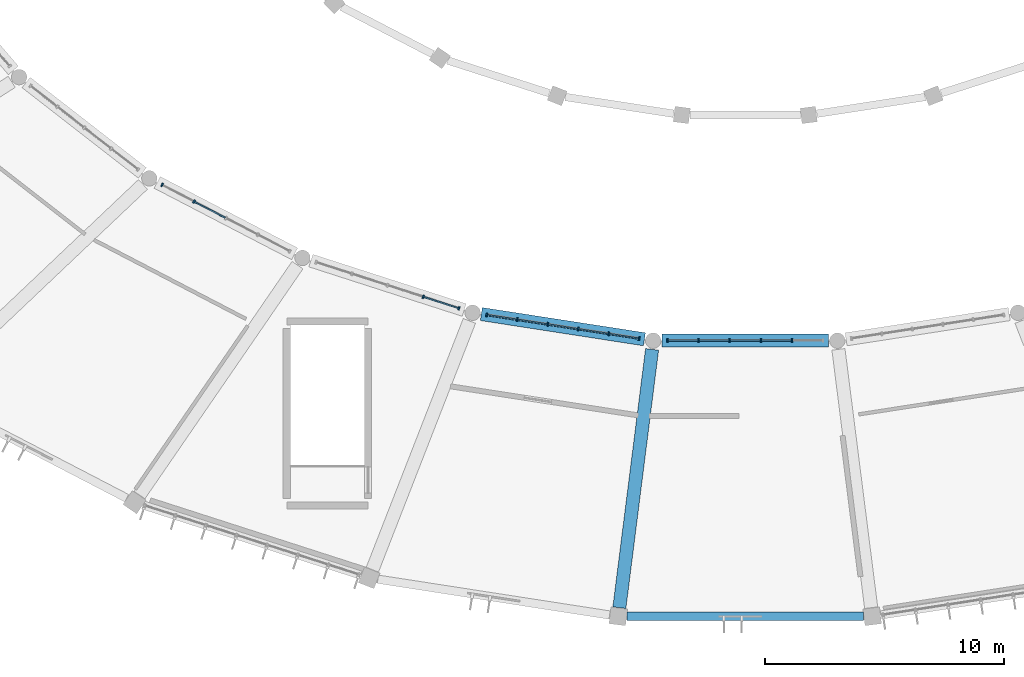
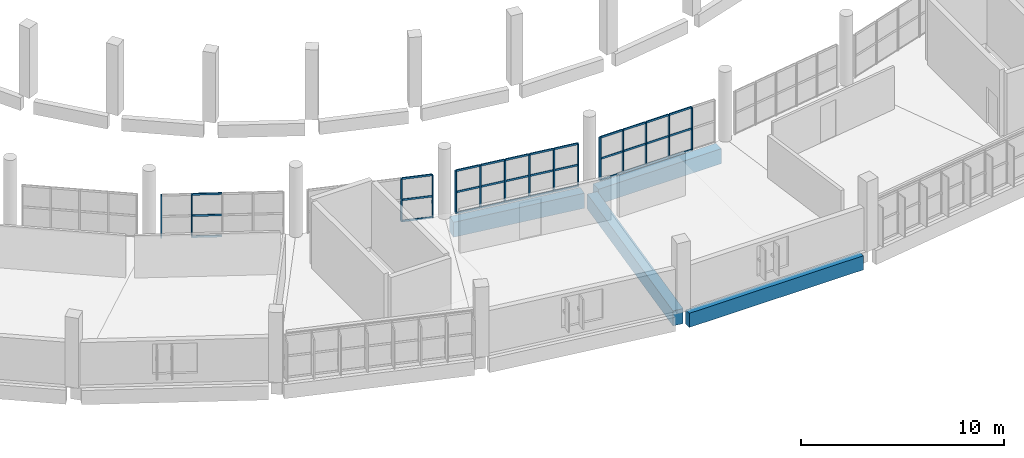
# One storey, part 13 of 142: 48 members, 4 beams, 4 elements without a shape of their own.
"""IFC4 building model written with IfcOpenShell, lengths in metres."""

from ifc_helpers import new_model, si_unit, direction, frame, origin, origin_2d, place, context, subcontext, project, spatial, rectangle, extrude, material, layer, layer_set, material_profile, profile_set, type_object, element, aggregate, save


model = new_model("IFC4")

# Units and contexts
model_context = context("Model", 3, precision=1e-05, world=origin(), true_north=direction((0.0, 1.0)))
body_context = subcontext(model_context, "Body", "Model", "MODEL_VIEW")
ifc_project = project(units=[si_unit("LENGTHUNIT", "METRE"), si_unit("AREAUNIT", "SQUARE_METRE"), si_unit("VOLUMEUNIT", "CUBIC_METRE"), si_unit("PLANEANGLEUNIT", "RADIAN"), si_unit("MASSUNIT", "GRAM", prefix="KILO")], contexts=[model_context])

# Site, building, storey
site_placement = place(None, origin())
site = spatial("IfcSite", under=ifc_project, at=site_placement, CompositionType="ELEMENT")
building_placement = place(site_placement, origin())
building = spatial("IfcBuilding", under=site, at=building_placement, Name="Corvandel Quay Wholesale Market", CompositionType="ELEMENT")
storey_placement = place(building_placement, frame((0.0, 0.0, 10.800048828125)))
storey = spatial("IfcBuildingStorey", under=building, at=storey_placement, Name="L02", CompositionType="ELEMENT", Elevation=10.800048828125)

# Curtain wall, members
ifc_material_1 = material(Name="Bronze anodised aluminium and low-E insulated glazing", Category="aluminium")
ifc_layer_1 = layer(ifc_material_1, 0.197998046875)
ifc_layer_set_1 = layer_set([ifc_layer_1], Name="Bronze anodised aluminium and low-E insulated glazing")
curtain_wall_type_1 = type_object("IfcCurtainWallType", Name="Stick Curtain Wall System CW14 H4260", PredefinedType="NOTDEFINED", material=ifc_layer_set_1)
curtain_wall_1_placement = place(storey_placement, origin())
curtain_wall_1 = element("IfcCurtainWall", 1, at=curtain_wall_1_placement, inside=storey, type_object=curtain_wall_type_1, Name="Curtain Wall CW-0062", PredefinedType="NOTDEFINED")
ifc_material_2 = material(Name="Anodised aluminium 6063-T6", Category="aluminium")
ifc_material_profile_1 = material_profile(ifc_material_2, rectangle(XDim=0.06494140625, YDim=0.14990234375, at=origin_2d()), Name="ALU-MUL-65x150")
ifc_profile_set_1 = profile_set([ifc_material_profile_1], Name="Anodised aluminium 6063-T6")
member_type_1 = type_object("IfcMemberType", Name="Curtain Wall Mullion ML02 65x150", PredefinedType="MULLION", material=ifc_profile_set_1)
member_1_placement = place(storey_placement, frame((89.575439453125, 18.0712890625, 0.0), z_axis=(0.0, 0.0, 1.0), x_axis=(-0.887332978338, 0.461129250378, 0.0)))
member_1 = element("IfcMember", 2, at=member_1_placement, type_object=member_type_1, Name="Mullion CW-0062-M00", PredefinedType="MULLION", context=body_context, shape_type="SweptSolid", body=[
    extrude(rectangle(XDim=0.06494140625, YDim=0.14990234375, at=origin_2d()), origin(), (0.0, 0.0, 1.0), 2.550048828125),
])
member_2_placement = place(storey_placement, frame((90.91259765625, 17.376708984375, 0.0), z_axis=(0.0, 0.0, 1.0), x_axis=(-0.887332978338, 0.461129250378, 0.0)))
member_2 = element("IfcMember", 3, at=member_2_placement, type_object=member_type_1, Name="Mullion CW-0062-M01", PredefinedType="MULLION", context=body_context, shape_type="SweptSolid", body=[
    extrude(rectangle(XDim=0.06494140625, YDim=0.14990234375, at=origin_2d()), origin(), (0.0, 0.0, 1.0), 2.550048828125),
])

ifc_layer_2 = layer(ifc_material_1, 0.14990234375)
ifc_layer_set_2 = layer_set([ifc_layer_2], Name="Bronze anodised aluminium and low-E insulated glazing")
curtain_wall_type_2 = type_object("IfcCurtainWallType", Name="Stick Curtain Wall System CW15 H4350", PredefinedType="NOTDEFINED", material=ifc_layer_set_2)
curtain_wall_2_placement = place(storey_placement, origin())
curtain_wall_2 = element("IfcCurtainWall", 4, at=curtain_wall_2_placement, inside=storey, type_object=curtain_wall_type_2, Name="Curtain Wall CW-0065", PredefinedType="NOTDEFINED")
member_3_placement = place(storey_placement, frame((100.513427734375, 13.385986328125, 0.0), z_axis=(0.0, 0.0, 1.0), x_axis=(-0.951808747363, 0.306692204733, 0.0)))
member_3 = element("IfcMember", 5, at=member_3_placement, type_object=member_type_1, Name="Mullion CW-0065-M03", PredefinedType="MULLION", context=body_context, shape_type="SweptSolid", body=[
    extrude(rectangle(XDim=0.06494140625, YDim=0.14990234375, at=origin_2d()), origin(), (0.0, 0.0, 1.0), 2.550048828125),
])
member_4_placement = place(storey_placement, frame((102.0087890625, 12.904052734375, 0.0), z_axis=(0.0, 0.0, 1.0), x_axis=(-0.951808747363, 0.306692204733, 0.0)))
member_4 = element("IfcMember", 6, at=member_4_placement, type_object=member_type_1, Name="Mullion CW-0065-M04", PredefinedType="MULLION", context=body_context, shape_type="SweptSolid", body=[
    extrude(rectangle(XDim=0.06494140625, YDim=0.14990234375, at=origin_2d()), origin(), (0.0, 0.0, 1.0), 2.550048828125),
])

ifc_layer_3 = layer(ifc_material_1, 0.162109375)
ifc_layer_set_3 = layer_set([ifc_layer_3], Name="Bronze anodised aluminium and low-E insulated glazing")
curtain_wall_type_3 = type_object("IfcCurtainWallType", Name="Stick Curtain Wall System CW16 H4440", PredefinedType="NOTDEFINED", material=ifc_layer_set_3)
curtain_wall_3_placement = place(storey_placement, origin())
curtain_wall_3 = element("IfcCurtainWall", 7, at=curtain_wall_3_placement, inside=storey, type_object=curtain_wall_type_3, Name="Curtain Wall CW-0068", PredefinedType="NOTDEFINED")
member_5_placement = place(storey_placement, frame((103.173095703125, 12.62841796875, 0.0), z_axis=(0.0, 0.0, 1.0), x_axis=(-0.98825506746, 0.152813355565, 0.0)))
member_5 = element("IfcMember", 8, at=member_5_placement, type_object=member_type_1, Name="Mullion CW-0068-M00", PredefinedType="MULLION", context=body_context, shape_type="SweptSolid", body=[
    extrude(rectangle(XDim=0.06494140625, YDim=0.14990234375, at=origin_2d()), origin(), (0.0, 0.0, 1.0), 2.550048828125),
])
member_6_placement = place(storey_placement, frame((104.448486328125, 12.430908203125, 0.0), z_axis=(0.0, 0.0, 1.0), x_axis=(-0.98825506746, 0.152813355565, 0.0)))
member_6 = element("IfcMember", 9, at=member_6_placement, type_object=member_type_1, Name="Mullion CW-0068-M01", PredefinedType="MULLION", context=body_context, shape_type="SweptSolid", body=[
    extrude(rectangle(XDim=0.06494140625, YDim=0.14990234375, at=origin_2d()), origin(), (0.0, 0.0, 1.0), 2.550048828125),
])
member_7_placement = place(storey_placement, frame((105.72412109375, 12.233642578125, 0.0), z_axis=(0.0, 0.0, 1.0), x_axis=(-0.98825506746, 0.152813355565, 0.0)))
member_7 = element("IfcMember", 10, at=member_7_placement, type_object=member_type_1, Name="Mullion CW-0068-M02", PredefinedType="MULLION", context=body_context, shape_type="SweptSolid", body=[
    extrude(rectangle(XDim=0.06494140625, YDim=0.14990234375, at=origin_2d()), origin(), (0.0, 0.0, 1.0), 2.550048828125),
])
member_8_placement = place(storey_placement, frame((106.999755859375, 12.036376953125, 0.0), z_axis=(0.0, 0.0, 1.0), x_axis=(-0.98825506746, 0.152813355565, 0.0)))
member_8 = element("IfcMember", 11, at=member_8_placement, type_object=member_type_1, Name="Mullion CW-0068-M03", PredefinedType="MULLION", context=body_context, shape_type="SweptSolid", body=[
    extrude(rectangle(XDim=0.06494140625, YDim=0.14990234375, at=origin_2d()), origin(), (0.0, 0.0, 1.0), 2.550048828125),
])
member_9_placement = place(storey_placement, frame((108.275390625, 11.839111328125, 0.0), z_axis=(0.0, 0.0, 1.0), x_axis=(-0.98825506746, 0.152813355565, 0.0)))
member_9 = element("IfcMember", 12, at=member_9_placement, type_object=member_type_1, Name="Mullion CW-0068-M04", PredefinedType="MULLION", context=body_context, shape_type="SweptSolid", body=[
    extrude(rectangle(XDim=0.06494140625, YDim=0.14990234375, at=origin_2d()), origin(), (0.0, 0.0, 1.0), 2.550048828125),
])
member_10_placement = place(storey_placement, frame((109.551025390625, 11.6416015625, 0.0), z_axis=(0.0, 0.0, 1.0), x_axis=(-0.98825506746, 0.152813355565, 0.0)))
member_10 = element("IfcMember", 13, at=member_10_placement, type_object=member_type_1, Name="Mullion CW-0068-M05", PredefinedType="MULLION", context=body_context, shape_type="SweptSolid", body=[
    extrude(rectangle(XDim=0.06494140625, YDim=0.14990234375, at=origin_2d()), origin(), (0.0, 0.0, 1.0), 2.550048828125),
])

ifc_layer_4 = layer(ifc_material_1, 0.174072265625)
ifc_layer_set_4 = layer_set([ifc_layer_4], Name="Bronze anodised aluminium and low-E insulated glazing")
curtain_wall_type_4 = type_object("IfcCurtainWallType", Name="Stick Curtain Wall System CW17 H4530", PredefinedType="NOTDEFINED", material=ifc_layer_set_4)
curtain_wall_4_placement = place(storey_placement, origin())
curtain_wall_4 = element("IfcCurtainWall", 14, at=curtain_wall_4_placement, inside=storey, type_object=curtain_wall_type_4, Name="Curtain Wall CW-0070", PredefinedType="NOTDEFINED")
member_11_placement = place(storey_placement, frame((110.743896484375, 11.550048828125, 0.0), z_axis=(0.0, 0.0, 1.0), x_axis=(1.0, 0.0, 0.0)))
member_11 = element("IfcMember", 15, at=member_11_placement, type_object=member_type_1, Name="Mullion CW-0070-M00", PredefinedType="MULLION", context=body_context, shape_type="SweptSolid", body=[
    extrude(rectangle(XDim=0.06494140625, YDim=0.14990234375, at=origin_2d()), origin(), (0.0, 0.0, 1.0), 2.550048828125),
])
member_12_placement = place(storey_placement, frame((112.04638671875, 11.550048828125, 0.0), z_axis=(0.0, 0.0, 1.0), x_axis=(1.0, 0.0, 0.0)))
member_12 = element("IfcMember", 16, at=member_12_placement, type_object=member_type_1, Name="Mullion CW-0070-M01", PredefinedType="MULLION", context=body_context, shape_type="SweptSolid", body=[
    extrude(rectangle(XDim=0.06494140625, YDim=0.14990234375, at=origin_2d()), origin(), (0.0, 0.0, 1.0), 2.550048828125),
])
member_13_placement = place(storey_placement, frame((113.348876953125, 11.550048828125, 0.0), z_axis=(0.0, 0.0, 1.0), x_axis=(1.0, 0.0, 0.0)))
member_13 = element("IfcMember", 17, at=member_13_placement, type_object=member_type_1, Name="Mullion CW-0070-M02", PredefinedType="MULLION", context=body_context, shape_type="SweptSolid", body=[
    extrude(rectangle(XDim=0.06494140625, YDim=0.14990234375, at=origin_2d()), origin(), (0.0, 0.0, 1.0), 2.550048828125),
])
member_14_placement = place(storey_placement, frame((114.651123046875, 11.550048828125, 0.0), z_axis=(0.0, 0.0, 1.0), x_axis=(1.0, 0.0, 0.0)))
member_14 = element("IfcMember", 18, at=member_14_placement, type_object=member_type_1, Name="Mullion CW-0070-M03", PredefinedType="MULLION", context=body_context, shape_type="SweptSolid", body=[
    extrude(rectangle(XDim=0.06494140625, YDim=0.14990234375, at=origin_2d()), origin(), (0.0, 0.0, 1.0), 2.550048828125),
])
member_15_placement = place(storey_placement, frame((115.95361328125, 11.550048828125, 0.0), z_axis=(0.0, 0.0, 1.0), x_axis=(1.0, 0.0, 0.0)))
member_15 = element("IfcMember", 19, at=member_15_placement, type_object=member_type_1, Name="Mullion CW-0070-M04", PredefinedType="MULLION", context=body_context, shape_type="SweptSolid", body=[
    extrude(rectangle(XDim=0.06494140625, YDim=0.14990234375, at=origin_2d()), origin(), (0.0, 0.0, 1.0), 2.550048828125),
])

# Member
ifc_material_profile_2 = material_profile(ifc_material_2, rectangle(XDim=0.06005859375, YDim=0.110107421875, at=origin_2d()), Name="ALU-TRN-60x110")
ifc_profile_set_2 = profile_set([ifc_material_profile_2], Name="Anodised aluminium 6063-T6")
member_type_2 = type_object("IfcMemberType", Name="Curtain Wall Transom TR02 60x110", PredefinedType="USERDEFINED", material=ifc_profile_set_2)
member_16_placement = place(storey_placement, frame((90.94140625, 17.36181640625, 0.0), z_axis=(0.887341534399, -0.46111278591, 0.0), x_axis=(0.46111278591, 0.887341534399, 0.0)))
member_16 = element("IfcMember", 20, at=member_16_placement, type_object=member_type_2, Name="Transom CW-0062-T01-0", ObjectType="TRANSOM", PredefinedType="USERDEFINED", context=body_context, shape_type="SweptSolid", body=[
    extrude(rectangle(XDim=0.06005859375, YDim=0.110107421875, at=origin_2d()), origin(), (0.0, 0.0, 1.0), 1.441650390625),
])

member_17_placement = place(storey_placement, frame((90.94140625, 17.36181640625, 1.27490234375), z_axis=(0.887341534399, -0.46111278591, 0.0), x_axis=(0.46111278591, 0.887341534399, 0.0)))
member_17 = element("IfcMember", 21, at=member_17_placement, type_object=member_type_2, Name="Transom CW-0062-T01-1", ObjectType="TRANSOM", PredefinedType="USERDEFINED", context=body_context, shape_type="SweptSolid", body=[
    extrude(rectangle(XDim=0.06005859375, YDim=0.110107421875, at=origin_2d()), origin(), (0.0, 0.0, 1.0), 1.441650390625),
])

member_18_placement = place(storey_placement, frame((90.94140625, 17.36181640625, 2.550048828125), z_axis=(0.887341534399, -0.46111278591, 0.0), x_axis=(0.46111278591, 0.887341534399, 0.0)))
member_18 = element("IfcMember", 22, at=member_18_placement, type_object=member_type_2, Name="Transom CW-0062-T01-2", ObjectType="TRANSOM", PredefinedType="USERDEFINED", context=body_context, shape_type="SweptSolid", body=[
    extrude(rectangle(XDim=0.06005859375, YDim=0.110107421875, at=origin_2d()), origin(), (0.0, 0.0, 1.0), 1.441650390625),
])

aggregate(curtain_wall_1, [member_1, member_2, member_16, member_17, member_18])

member_19_placement = place(storey_placement, frame((100.54443359375, 13.3759765625, 0.0), z_axis=(0.951812449712, -0.306680714383, 0.0), x_axis=(0.306680714383, 0.951812449712, 0.0)))
member_19 = element("IfcMember", 23, at=member_19_placement, type_object=member_type_2, Name="Transom CW-0065-T03-0", ObjectType="TRANSOM", PredefinedType="USERDEFINED", context=body_context, shape_type="SweptSolid", body=[
    extrude(rectangle(XDim=0.06005859375, YDim=0.110107421875, at=origin_2d()), origin(), (0.0, 0.0, 1.0), 1.506103515625),
])

member_20_placement = place(storey_placement, frame((100.54443359375, 13.3759765625, 1.27490234375), z_axis=(0.951812449712, -0.306680714383, 0.0), x_axis=(0.306680714383, 0.951812449712, 0.0)))
member_20 = element("IfcMember", 24, at=member_20_placement, type_object=member_type_2, Name="Transom CW-0065-T03-1", ObjectType="TRANSOM", PredefinedType="USERDEFINED", context=body_context, shape_type="SweptSolid", body=[
    extrude(rectangle(XDim=0.06005859375, YDim=0.110107421875, at=origin_2d()), origin(), (0.0, 0.0, 1.0), 1.506103515625),
])

member_21_placement = place(storey_placement, frame((100.54443359375, 13.3759765625, 2.550048828125), z_axis=(0.951812449712, -0.306680714383, 0.0), x_axis=(0.306680714383, 0.951812449712, 0.0)))
member_21 = element("IfcMember", 25, at=member_21_placement, type_object=member_type_2, Name="Transom CW-0065-T03-2", ObjectType="TRANSOM", PredefinedType="USERDEFINED", context=body_context, shape_type="SweptSolid", body=[
    extrude(rectangle(XDim=0.06005859375, YDim=0.110107421875, at=origin_2d()), origin(), (0.0, 0.0, 1.0), 1.506103515625),
])

aggregate(curtain_wall_2, [member_3, member_4, member_19, member_20, member_21])

member_22_placement = place(storey_placement, frame((103.205078125, 12.623291015625, 0.0), z_axis=(0.988233143916, -0.152955069433, 0.0), x_axis=(0.152955069433, 0.988233143916, 0.0)))
member_22 = element("IfcMember", 26, at=member_22_placement, type_object=member_type_2, Name="Transom CW-0068-T00-0", ObjectType="TRANSOM", PredefinedType="USERDEFINED", context=body_context, shape_type="SweptSolid", body=[
    extrude(rectangle(XDim=0.06005859375, YDim=0.110107421875, at=origin_2d()), origin(), (0.0, 0.0, 1.0), 1.225830078125),
])

member_23_placement = place(storey_placement, frame((103.205078125, 12.623291015625, 1.27490234375), z_axis=(0.988233143916, -0.152955069433, 0.0), x_axis=(0.152955069433, 0.988233143916, 0.0)))
member_23 = element("IfcMember", 27, at=member_23_placement, type_object=member_type_2, Name="Transom CW-0068-T00-1", ObjectType="TRANSOM", PredefinedType="USERDEFINED", context=body_context, shape_type="SweptSolid", body=[
    extrude(rectangle(XDim=0.06005859375, YDim=0.110107421875, at=origin_2d()), origin(), (0.0, 0.0, 1.0), 1.225830078125),
])

member_24_placement = place(storey_placement, frame((103.205078125, 12.623291015625, 2.550048828125), z_axis=(0.988233143916, -0.152955069433, 0.0), x_axis=(0.152955069433, 0.988233143916, 0.0)))
member_24 = element("IfcMember", 28, at=member_24_placement, type_object=member_type_2, Name="Transom CW-0068-T00-2", ObjectType="TRANSOM", PredefinedType="USERDEFINED", context=body_context, shape_type="SweptSolid", body=[
    extrude(rectangle(XDim=0.06005859375, YDim=0.110107421875, at=origin_2d()), origin(), (0.0, 0.0, 1.0), 1.225830078125),
])

member_25_placement = place(storey_placement, frame((104.480712890625, 12.426025390625, 0.0), z_axis=(0.988233143916, -0.152955069433, 0.0), x_axis=(0.152955069433, 0.988233143916, 0.0)))
member_25 = element("IfcMember", 29, at=member_25_placement, type_object=member_type_2, Name="Transom CW-0068-T01-0", ObjectType="TRANSOM", PredefinedType="USERDEFINED", context=body_context, shape_type="SweptSolid", body=[
    extrude(rectangle(XDim=0.06005859375, YDim=0.110107421875, at=origin_2d()), origin(), (0.0, 0.0, 1.0), 1.225830078125),
])

member_26_placement = place(storey_placement, frame((104.480712890625, 12.426025390625, 1.27490234375), z_axis=(0.988233143916, -0.152955069433, 0.0), x_axis=(0.152955069433, 0.988233143916, 0.0)))
member_26 = element("IfcMember", 30, at=member_26_placement, type_object=member_type_2, Name="Transom CW-0068-T01-1", ObjectType="TRANSOM", PredefinedType="USERDEFINED", context=body_context, shape_type="SweptSolid", body=[
    extrude(rectangle(XDim=0.06005859375, YDim=0.110107421875, at=origin_2d()), origin(), (0.0, 0.0, 1.0), 1.225830078125),
])

member_27_placement = place(storey_placement, frame((104.480712890625, 12.426025390625, 2.550048828125), z_axis=(0.988233143916, -0.152955069433, 0.0), x_axis=(0.152955069433, 0.988233143916, 0.0)))
member_27 = element("IfcMember", 31, at=member_27_placement, type_object=member_type_2, Name="Transom CW-0068-T01-2", ObjectType="TRANSOM", PredefinedType="USERDEFINED", context=body_context, shape_type="SweptSolid", body=[
    extrude(rectangle(XDim=0.06005859375, YDim=0.110107421875, at=origin_2d()), origin(), (0.0, 0.0, 1.0), 1.225830078125),
])

member_28_placement = place(storey_placement, frame((105.75634765625, 12.228759765625, 0.0), z_axis=(0.988233143916, -0.152955069433, 0.0), x_axis=(0.152955069433, 0.988233143916, 0.0)))
member_28 = element("IfcMember", 32, at=member_28_placement, type_object=member_type_2, Name="Transom CW-0068-T02-0", ObjectType="TRANSOM", PredefinedType="USERDEFINED", context=body_context, shape_type="SweptSolid", body=[
    extrude(rectangle(XDim=0.06005859375, YDim=0.110107421875, at=origin_2d()), origin(), (0.0, 0.0, 1.0), 1.225830078125),
])

member_29_placement = place(storey_placement, frame((105.75634765625, 12.228759765625, 1.27490234375), z_axis=(0.988233143916, -0.152955069433, 0.0), x_axis=(0.152955069433, 0.988233143916, 0.0)))
member_29 = element("IfcMember", 33, at=member_29_placement, type_object=member_type_2, Name="Transom CW-0068-T02-1", ObjectType="TRANSOM", PredefinedType="USERDEFINED", context=body_context, shape_type="SweptSolid", body=[
    extrude(rectangle(XDim=0.06005859375, YDim=0.110107421875, at=origin_2d()), origin(), (0.0, 0.0, 1.0), 1.225830078125),
])

member_30_placement = place(storey_placement, frame((105.75634765625, 12.228759765625, 2.550048828125), z_axis=(0.988233143916, -0.152955069433, 0.0), x_axis=(0.152955069433, 0.988233143916, 0.0)))
member_30 = element("IfcMember", 34, at=member_30_placement, type_object=member_type_2, Name="Transom CW-0068-T02-2", ObjectType="TRANSOM", PredefinedType="USERDEFINED", context=body_context, shape_type="SweptSolid", body=[
    extrude(rectangle(XDim=0.06005859375, YDim=0.110107421875, at=origin_2d()), origin(), (0.0, 0.0, 1.0), 1.225830078125),
])

member_31_placement = place(storey_placement, frame((107.031982421875, 12.031494140625, 0.0), z_axis=(0.988233143916, -0.152955069433, 0.0), x_axis=(0.152955069433, 0.988233143916, 0.0)))
member_31 = element("IfcMember", 35, at=member_31_placement, type_object=member_type_2, Name="Transom CW-0068-T03-0", ObjectType="TRANSOM", PredefinedType="USERDEFINED", context=body_context, shape_type="SweptSolid", body=[
    extrude(rectangle(XDim=0.06005859375, YDim=0.110107421875, at=origin_2d()), origin(), (0.0, 0.0, 1.0), 1.225830078125),
])

member_32_placement = place(storey_placement, frame((107.031982421875, 12.031494140625, 1.27490234375), z_axis=(0.988233143916, -0.152955069433, 0.0), x_axis=(0.152955069433, 0.988233143916, 0.0)))
member_32 = element("IfcMember", 36, at=member_32_placement, type_object=member_type_2, Name="Transom CW-0068-T03-1", ObjectType="TRANSOM", PredefinedType="USERDEFINED", context=body_context, shape_type="SweptSolid", body=[
    extrude(rectangle(XDim=0.06005859375, YDim=0.110107421875, at=origin_2d()), origin(), (0.0, 0.0, 1.0), 1.225830078125),
])

member_33_placement = place(storey_placement, frame((107.031982421875, 12.031494140625, 2.550048828125), z_axis=(0.988233143916, -0.152955069433, 0.0), x_axis=(0.152955069433, 0.988233143916, 0.0)))
member_33 = element("IfcMember", 37, at=member_33_placement, type_object=member_type_2, Name="Transom CW-0068-T03-2", ObjectType="TRANSOM", PredefinedType="USERDEFINED", context=body_context, shape_type="SweptSolid", body=[
    extrude(rectangle(XDim=0.06005859375, YDim=0.110107421875, at=origin_2d()), origin(), (0.0, 0.0, 1.0), 1.225830078125),
])

member_34_placement = place(storey_placement, frame((108.3076171875, 11.833984375, 0.0), z_axis=(0.988258580736, -0.152790633224, 0.0), x_axis=(0.152790633224, 0.988258580736, 0.0)))
member_34 = element("IfcMember", 38, at=member_34_placement, type_object=member_type_2, Name="Transom CW-0068-T04-0", ObjectType="TRANSOM", PredefinedType="USERDEFINED", context=body_context, shape_type="SweptSolid", body=[
    extrude(rectangle(XDim=0.06005859375, YDim=0.110107421875, at=origin_2d()), origin(), (0.0, 0.0, 1.0), 1.2255859375),
])

member_35_placement = place(storey_placement, frame((108.3076171875, 11.833984375, 1.27490234375), z_axis=(0.988258580736, -0.152790633224, 0.0), x_axis=(0.152790633224, 0.988258580736, 0.0)))
member_35 = element("IfcMember", 39, at=member_35_placement, type_object=member_type_2, Name="Transom CW-0068-T04-1", ObjectType="TRANSOM", PredefinedType="USERDEFINED", context=body_context, shape_type="SweptSolid", body=[
    extrude(rectangle(XDim=0.06005859375, YDim=0.110107421875, at=origin_2d()), origin(), (0.0, 0.0, 1.0), 1.2255859375),
])

member_36_placement = place(storey_placement, frame((108.3076171875, 11.833984375, 2.550048828125), z_axis=(0.988258580736, -0.152790633224, 0.0), x_axis=(0.152790633224, 0.988258580736, 0.0)))
member_36 = element("IfcMember", 40, at=member_36_placement, type_object=member_type_2, Name="Transom CW-0068-T04-2", ObjectType="TRANSOM", PredefinedType="USERDEFINED", context=body_context, shape_type="SweptSolid", body=[
    extrude(rectangle(XDim=0.06005859375, YDim=0.110107421875, at=origin_2d()), origin(), (0.0, 0.0, 1.0), 1.2255859375),
])

aggregate(curtain_wall_3, [member_5, member_6, member_7, member_8, member_9, member_10, member_22, member_23, member_24, member_25, member_26, member_27, member_28, member_29, member_30, member_31, member_32, member_33, member_34, member_35, member_36])

member_37_placement = place(storey_placement, frame((110.776611328125, 11.550048828125, 0.0), z_axis=(1.0, 0.0, 0.0), x_axis=(0.0, 1.0, 0.0)))
member_37 = element("IfcMember", 41, at=member_37_placement, type_object=member_type_2, Name="Transom CW-0070-T00-0", ObjectType="TRANSOM", PredefinedType="USERDEFINED", context=body_context, shape_type="SweptSolid", body=[
    extrude(rectangle(XDim=0.06005859375, YDim=0.110107421875, at=origin_2d()), origin(), (0.0, 0.0, 1.0), 1.2373046875),
])

member_38_placement = place(storey_placement, frame((110.776611328125, 11.550048828125, 1.27490234375), z_axis=(1.0, 0.0, 0.0), x_axis=(0.0, 1.0, 0.0)))
member_38 = element("IfcMember", 42, at=member_38_placement, type_object=member_type_2, Name="Transom CW-0070-T00-1", ObjectType="TRANSOM", PredefinedType="USERDEFINED", context=body_context, shape_type="SweptSolid", body=[
    extrude(rectangle(XDim=0.06005859375, YDim=0.110107421875, at=origin_2d()), origin(), (0.0, 0.0, 1.0), 1.2373046875),
])

member_39_placement = place(storey_placement, frame((110.776611328125, 11.550048828125, 2.550048828125), z_axis=(1.0, 0.0, 0.0), x_axis=(0.0, 1.0, 0.0)))
member_39 = element("IfcMember", 43, at=member_39_placement, type_object=member_type_2, Name="Transom CW-0070-T00-2", ObjectType="TRANSOM", PredefinedType="USERDEFINED", context=body_context, shape_type="SweptSolid", body=[
    extrude(rectangle(XDim=0.06005859375, YDim=0.110107421875, at=origin_2d()), origin(), (0.0, 0.0, 1.0), 1.2373046875),
])

member_40_placement = place(storey_placement, frame((112.078857421875, 11.550048828125, 0.0), z_axis=(1.0, 0.0, 0.0), x_axis=(0.0, 1.0, 0.0)))
member_40 = element("IfcMember", 44, at=member_40_placement, type_object=member_type_2, Name="Transom CW-0070-T01-0", ObjectType="TRANSOM", PredefinedType="USERDEFINED", context=body_context, shape_type="SweptSolid", body=[
    extrude(rectangle(XDim=0.06005859375, YDim=0.110107421875, at=origin_2d()), origin(), (0.0, 0.0, 1.0), 1.237548828125),
])

member_41_placement = place(storey_placement, frame((112.078857421875, 11.550048828125, 1.27490234375), z_axis=(1.0, 0.0, 0.0), x_axis=(0.0, 1.0, 0.0)))
member_41 = element("IfcMember", 45, at=member_41_placement, type_object=member_type_2, Name="Transom CW-0070-T01-1", ObjectType="TRANSOM", PredefinedType="USERDEFINED", context=body_context, shape_type="SweptSolid", body=[
    extrude(rectangle(XDim=0.06005859375, YDim=0.110107421875, at=origin_2d()), origin(), (0.0, 0.0, 1.0), 1.237548828125),
])

member_42_placement = place(storey_placement, frame((112.078857421875, 11.550048828125, 2.550048828125), z_axis=(1.0, 0.0, 0.0), x_axis=(0.0, 1.0, 0.0)))
member_42 = element("IfcMember", 46, at=member_42_placement, type_object=member_type_2, Name="Transom CW-0070-T01-2", ObjectType="TRANSOM", PredefinedType="USERDEFINED", context=body_context, shape_type="SweptSolid", body=[
    extrude(rectangle(XDim=0.06005859375, YDim=0.110107421875, at=origin_2d()), origin(), (0.0, 0.0, 1.0), 1.237548828125),
])

member_43_placement = place(storey_placement, frame((113.38134765625, 11.550048828125, 0.0), z_axis=(1.0, 0.0, 0.0), x_axis=(0.0, 1.0, 0.0)))
member_43 = element("IfcMember", 47, at=member_43_placement, type_object=member_type_2, Name="Transom CW-0070-T02-0", ObjectType="TRANSOM", PredefinedType="USERDEFINED", context=body_context, shape_type="SweptSolid", body=[
    extrude(rectangle(XDim=0.06005859375, YDim=0.110107421875, at=origin_2d()), origin(), (0.0, 0.0, 1.0), 1.2373046875),
])

member_44_placement = place(storey_placement, frame((113.38134765625, 11.550048828125, 1.27490234375), z_axis=(1.0, 0.0, 0.0), x_axis=(0.0, 1.0, 0.0)))
member_44 = element("IfcMember", 48, at=member_44_placement, type_object=member_type_2, Name="Transom CW-0070-T02-1", ObjectType="TRANSOM", PredefinedType="USERDEFINED", context=body_context, shape_type="SweptSolid", body=[
    extrude(rectangle(XDim=0.06005859375, YDim=0.110107421875, at=origin_2d()), origin(), (0.0, 0.0, 1.0), 1.2373046875),
])

member_45_placement = place(storey_placement, frame((113.38134765625, 11.550048828125, 2.550048828125), z_axis=(1.0, 0.0, 0.0), x_axis=(0.0, 1.0, 0.0)))
member_45 = element("IfcMember", 49, at=member_45_placement, type_object=member_type_2, Name="Transom CW-0070-T02-2", ObjectType="TRANSOM", PredefinedType="USERDEFINED", context=body_context, shape_type="SweptSolid", body=[
    extrude(rectangle(XDim=0.06005859375, YDim=0.110107421875, at=origin_2d()), origin(), (0.0, 0.0, 1.0), 1.2373046875),
])

member_46_placement = place(storey_placement, frame((114.68359375, 11.550048828125, 0.0), z_axis=(1.0, 0.0, 0.0), x_axis=(0.0, 1.0, 0.0)))
member_46 = element("IfcMember", 50, at=member_46_placement, type_object=member_type_2, Name="Transom CW-0070-T03-0", ObjectType="TRANSOM", PredefinedType="USERDEFINED", context=body_context, shape_type="SweptSolid", body=[
    extrude(rectangle(XDim=0.06005859375, YDim=0.110107421875, at=origin_2d()), origin(), (0.0, 0.0, 1.0), 1.237548828125),
])

member_47_placement = place(storey_placement, frame((114.68359375, 11.550048828125, 1.27490234375), z_axis=(1.0, 0.0, 0.0), x_axis=(0.0, 1.0, 0.0)))
member_47 = element("IfcMember", 51, at=member_47_placement, type_object=member_type_2, Name="Transom CW-0070-T03-1", ObjectType="TRANSOM", PredefinedType="USERDEFINED", context=body_context, shape_type="SweptSolid", body=[
    extrude(rectangle(XDim=0.06005859375, YDim=0.110107421875, at=origin_2d()), origin(), (0.0, 0.0, 1.0), 1.237548828125),
])

member_48_placement = place(storey_placement, frame((114.68359375, 11.550048828125, 2.550048828125), z_axis=(1.0, 0.0, 0.0), x_axis=(0.0, 1.0, 0.0)))
member_48 = element("IfcMember", 52, at=member_48_placement, type_object=member_type_2, Name="Transom CW-0070-T03-2", ObjectType="TRANSOM", PredefinedType="USERDEFINED", context=body_context, shape_type="SweptSolid", body=[
    extrude(rectangle(XDim=0.06005859375, YDim=0.110107421875, at=origin_2d()), origin(), (0.0, 0.0, 1.0), 1.237548828125),
])

aggregate(curtain_wall_4, [member_11, member_12, member_13, member_14, member_15, member_37, member_38, member_39, member_40, member_41, member_42, member_43, member_44, member_45, member_46, member_47, member_48])

# Beams
ifc_material_3 = material(Name="Precast concrete C45/55", Category="concrete")
ifc_material_profile_3 = material_profile(ifc_material_3, rectangle(XDim=0.35009765625, YDim=0.85009765625, at=origin_2d()), Name="PC-SPN-350x850")
ifc_profile_set_3 = profile_set([ifc_material_profile_3], Name="Precast concrete C45/55")
beam_type_1 = type_object("IfcBeamType", Name="Perimeter Precast Spandrel SP01 350x850", PredefinedType="SPANDREL", material=ifc_profile_set_3)
beam_1_placement = place(storey_placement, frame((109.051025390625, 0.0, -0.7451171875), z_axis=(1.0, 0.0, 0.0), x_axis=(0.0, 1.0, 0.0)))
element("IfcBeam", 53, at=beam_1_placement, inside=storey, type_object=beam_type_1, Name="Beam BM-0292", PredefinedType="SPANDREL", context=body_context, shape_type="SweptSolid", body=[
    extrude(rectangle(XDim=0.35009765625, YDim=0.85009765625, at=origin_2d()), origin(), (0.0, 0.0, 1.0), 9.89794921875),
])
ifc_material_profile_4 = material_profile(ifc_material_3, rectangle(XDim=0.550048828125, YDim=0.89990234375, at=origin_2d()), Name="PC-GIR-550x900")
ifc_profile_set_4 = profile_set([ifc_material_profile_4], Name="Precast concrete C45/55")
beam_type_2 = type_object("IfcBeamType", Name="Produce Hall Radial Girder G03 550x900", PredefinedType="USERDEFINED", material=ifc_profile_set_4)
beam_2_placement = place(storey_placement, frame((102.94580078125, 12.663330078125, -0.77001953125), z_axis=(0.988252189149, -0.15283196865, 0.0), x_axis=(0.15283196865, 0.988252189149, 0.0)))
element("IfcBeam", 54, at=beam_2_placement, inside=storey, type_object=beam_type_2, Name="Beam BM-0282", ObjectType="GIRDER", PredefinedType="USERDEFINED", context=body_context, shape_type="SweptSolid", body=[
    extrude(rectangle(XDim=0.550048828125, YDim=0.89990234375, at=origin_2d()), origin(), (0.0, 0.0, 1.0), 6.913818359375),
])
beam_3_placement = place(storey_placement, frame((110.513916015625, 11.550048828125, -0.77001953125), z_axis=(1.0, 0.0, 0.0), x_axis=(0.0, 1.0, 0.0)))
element("IfcBeam", 55, at=beam_3_placement, inside=storey, type_object=beam_type_2, Name="Beam BM-0293", ObjectType="GIRDER", PredefinedType="USERDEFINED", context=body_context, shape_type="SweptSolid", body=[
    extrude(rectangle(XDim=0.550048828125, YDim=0.89990234375, at=origin_2d()), origin(), (0.0, 0.0, 1.0), 6.97216796875),
])
beam_4_placement = place(storey_placement, frame((108.7275390625, 0.3671875, -0.77001953125), z_axis=(0.125652446387, 0.992074323182, 0.0), x_axis=(-0.992074323182, 0.125652446387, 0.0)))
element("IfcBeam", 56, at=beam_4_placement, inside=storey, type_object=beam_type_2, Name="Beam BM-0295", ObjectType="GIRDER", PredefinedType="USERDEFINED", context=body_context, shape_type="SweptSolid", body=[
    extrude(rectangle(XDim=0.550048828125, YDim=0.89990234375, at=origin_2d()), origin(), (0.0, 0.0, 1.0), 10.902099609375),
])

save(model, "model.ifc")
